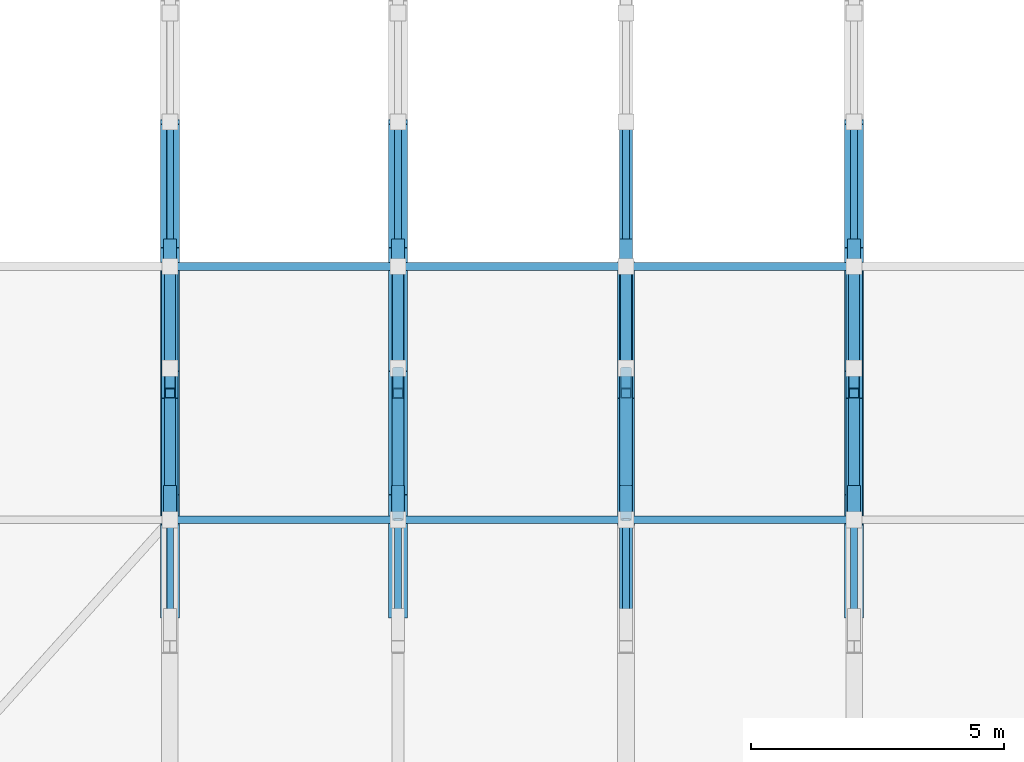
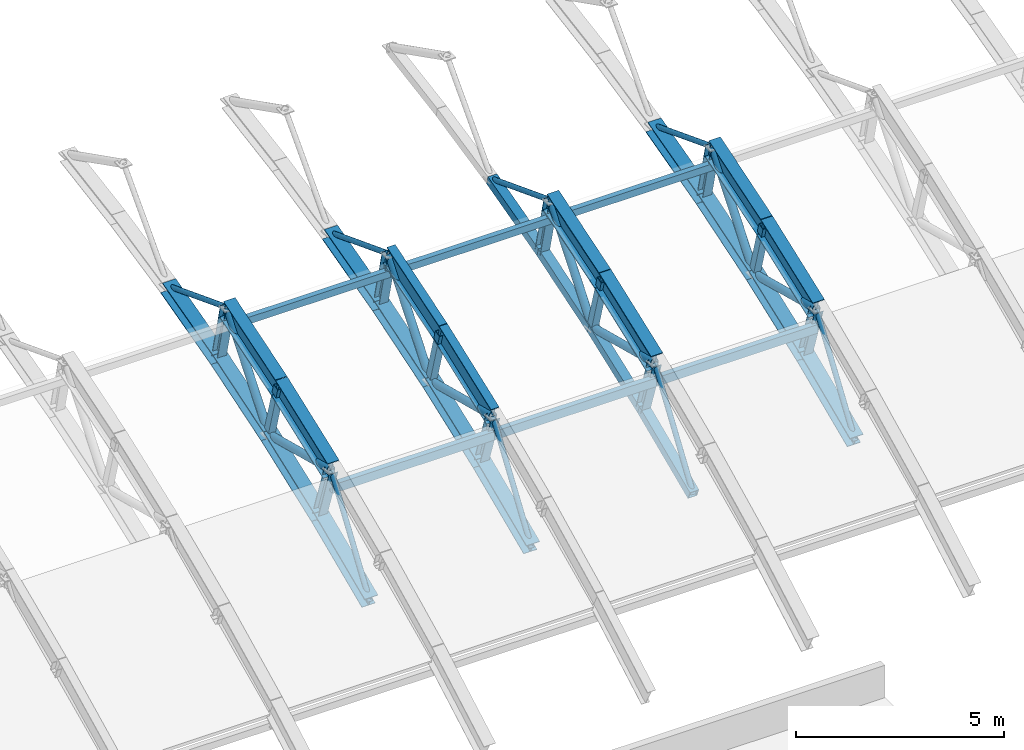
# One storey, part 66 of 103: 50 members, 8 beams.
"""IFC4 building model written with IfcOpenShell, lengths in metres."""

from ifc_helpers import new_model, si_unit, direction, frame, origin, origin_2d, place, context, subcontext, project, spatial, hollow_rectangle, hollow_circle, i_section, extrude, material, material_profile, profile_set, type_object, element, save


model = new_model("IFC4")

# Units and contexts
model_context = context("Model", 3, precision=1e-05, world=origin(), true_north=direction((0.0, 1.0)))
body_context = subcontext(model_context, "Body", "Model", "MODEL_VIEW")
ifc_project = project(units=[si_unit("LENGTHUNIT", "METRE"), si_unit("AREAUNIT", "SQUARE_METRE"), si_unit("VOLUMEUNIT", "CUBIC_METRE"), si_unit("PLANEANGLEUNIT", "RADIAN"), si_unit("MASSUNIT", "GRAM", prefix="KILO")], contexts=[model_context])

# Site, building, storey
site_placement = place(None, origin())
site = spatial("IfcSite", under=ifc_project, at=site_placement, CompositionType="ELEMENT")
building_placement = place(site_placement, origin())
building = spatial("IfcBuilding", under=site, at=building_placement, Name="Cazmaro Siding Exhibition Halls", CompositionType="ELEMENT")
storey_placement = place(building_placement, frame((0.0, 0.0, 16.5)))
storey = spatial("IfcBuildingStorey", under=building, at=storey_placement, Name="L03", CompositionType="ELEMENT", Elevation=16.5)

# Beams
ifc_material_1 = material(Name="Steel ASTM A992 Grade 50", Category="steel")
ifc_material_profile_1 = material_profile(ifc_material_1, i_section(OverallWidth=0.327880859375, OverallDepth=0.626953125, WebThickness=0.01708984375, FlangeThickness=0.028076171875, at=origin_2d()), Name="W24X146")
ifc_profile_set_1 = profile_set([ifc_material_profile_1], Name="Steel ASTM A992 Grade 50")
beam_type_1 = type_object("IfcBeamType", Name="AR-01", PredefinedType="USERDEFINED", material=ifc_profile_set_1)
beam_1_placement = place(storey_placement, frame((153.0, 74.0, 3.1220703125), z_axis=(0.0, 0.936509460339, 0.350642311615), x_axis=(-1.0, 0.0, 0.0)))
element("IfcBeam", 1, at=beam_1_placement, inside=storey, type_object=beam_type_1, Name="Space frame barrel vault arched rib AR-01 BM-1115", ObjectType="ARCHED RIB", PredefinedType="USERDEFINED", context=body_context, shape_type="SweptSolid", body=[
    extrude(i_section(OverallWidth=0.327880859375, OverallDepth=0.626953125, WebThickness=0.01708984375, FlangeThickness=0.028076171875, at=origin_2d()), origin(), (0.0, 0.0, 1.0), 2.66943359375),
])
beam_2_placement = place(storey_placement, frame((153.0, 76.5, 4.05810546875), z_axis=(0.0, 0.952769241759, 0.303695195811), x_axis=(-1.0, 0.0, 0.0)))
element("IfcBeam", 2, at=beam_2_placement, inside=storey, type_object=beam_type_1, Name="Space frame barrel vault arched rib AR-01 BM-1116", ObjectType="ARCHED RIB", PredefinedType="USERDEFINED", context=body_context, shape_type="SweptSolid", body=[
    extrude(i_section(OverallWidth=0.327880859375, OverallDepth=0.626953125, WebThickness=0.01708984375, FlangeThickness=0.028076171875, at=origin_2d()), origin(), (0.0, 0.0, 1.0), 2.6240234375),
])
ifc_material_2 = material(Name="Steel ASTM A992 Grade 50", Category="steel")
ifc_material_profile_2 = material_profile(ifc_material_2, i_section(OverallWidth=0.324951171875, OverallDepth=0.612060546875, WebThickness=0.012939453125, FlangeThickness=0.01904296875, at=origin_2d()), Name="W24X104")
ifc_profile_set_2 = profile_set([ifc_material_profile_2], Name="Steel ASTM A992 Grade 50")
beam_type_2 = type_object("IfcBeamType", Name="AR-02", PredefinedType="USERDEFINED", material=ifc_profile_set_2)
beam_3_placement = place(storey_placement, frame((144.0, 74.0, 3.1220703125), z_axis=(0.0, 0.936509460339, 0.350642311615), x_axis=(-1.0, 0.0, 0.0)))
element("IfcBeam", 3, at=beam_3_placement, inside=storey, type_object=beam_type_2, Name="Space frame barrel vault arched rib AR-02 BM-1067", ObjectType="ARCHED RIB", PredefinedType="USERDEFINED", context=body_context, shape_type="SweptSolid", body=[
    extrude(i_section(OverallWidth=0.324951171875, OverallDepth=0.612060546875, WebThickness=0.012939453125, FlangeThickness=0.01904296875, at=origin_2d()), origin(), (0.0, 0.0, 1.0), 2.66943359375),
])
beam_4_placement = place(storey_placement, frame((144.0, 76.5, 4.05810546875), z_axis=(0.0, 0.952769241759, 0.303695195811), x_axis=(-1.0, 0.0, 0.0)))
element("IfcBeam", 4, at=beam_4_placement, inside=storey, type_object=beam_type_2, Name="Space frame barrel vault arched rib AR-02 BM-1068", ObjectType="ARCHED RIB", PredefinedType="USERDEFINED", context=body_context, shape_type="SweptSolid", body=[
    extrude(i_section(OverallWidth=0.324951171875, OverallDepth=0.612060546875, WebThickness=0.012939453125, FlangeThickness=0.01904296875, at=origin_2d()), origin(), (0.0, 0.0, 1.0), 2.6240234375),
])
beam_5_placement = place(storey_placement, frame((157.5, 74.0, 3.1220703125), z_axis=(0.0, 0.936509460339, 0.350642311615), x_axis=(-1.0, 0.0, 0.0)))
element("IfcBeam", 5, at=beam_5_placement, inside=storey, type_object=beam_type_2, Name="Space frame barrel vault arched rib AR-02 BM-1139", ObjectType="ARCHED RIB", PredefinedType="USERDEFINED", context=body_context, shape_type="SweptSolid", body=[
    extrude(i_section(OverallWidth=0.324951171875, OverallDepth=0.612060546875, WebThickness=0.012939453125, FlangeThickness=0.01904296875, at=origin_2d()), origin(), (0.0, 0.0, 1.0), 2.66943359375),
])
beam_6_placement = place(storey_placement, frame((157.5, 76.5, 4.05810546875), z_axis=(0.0, 0.952769241759, 0.303695195811), x_axis=(-1.0, 0.0, 0.0)))
element("IfcBeam", 6, at=beam_6_placement, inside=storey, type_object=beam_type_2, Name="Space frame barrel vault arched rib AR-02 BM-1140", ObjectType="ARCHED RIB", PredefinedType="USERDEFINED", context=body_context, shape_type="SweptSolid", body=[
    extrude(i_section(OverallWidth=0.324951171875, OverallDepth=0.612060546875, WebThickness=0.012939453125, FlangeThickness=0.01904296875, at=origin_2d()), origin(), (0.0, 0.0, 1.0), 2.6240234375),
])
ifc_material_3 = material(Name="Steel ASTM A992 Grade 50", Category="steel")
ifc_material_profile_3 = material_profile(ifc_material_3, i_section(OverallWidth=0.22900390625, OverallDepth=0.612060546875, WebThickness=0.011962890625, FlangeThickness=0.02001953125, at=origin_2d()), Name="W24X84")
ifc_profile_set_3 = profile_set([ifc_material_profile_3], Name="Steel ASTM A992 Grade 50")
beam_type_3 = type_object("IfcBeamType", Name="AR-03", PredefinedType="USERDEFINED", material=ifc_profile_set_3)
beam_7_placement = place(storey_placement, frame((148.5, 74.0, 3.1220703125), z_axis=(0.0, 0.936509460339, 0.350642311615), x_axis=(-1.0, 0.0, 0.0)))
element("IfcBeam", 7, at=beam_7_placement, inside=storey, type_object=beam_type_3, Name="Space frame barrel vault arched rib AR-03 BM-1091", ObjectType="ARCHED RIB", PredefinedType="USERDEFINED", context=body_context, shape_type="SweptSolid", body=[
    extrude(i_section(OverallWidth=0.22900390625, OverallDepth=0.612060546875, WebThickness=0.011962890625, FlangeThickness=0.02001953125, at=origin_2d()), origin(), (0.0, 0.0, 1.0), 2.66943359375),
])
beam_8_placement = place(storey_placement, frame((148.5, 76.5, 4.05810546875), z_axis=(0.0, 0.952769241759, 0.303695195811), x_axis=(-1.0, 0.0, 0.0)))
element("IfcBeam", 8, at=beam_8_placement, inside=storey, type_object=beam_type_3, Name="Space frame barrel vault arched rib AR-03 BM-1092", ObjectType="ARCHED RIB", PredefinedType="USERDEFINED", context=body_context, shape_type="SweptSolid", body=[
    extrude(i_section(OverallWidth=0.22900390625, OverallDepth=0.612060546875, WebThickness=0.011962890625, FlangeThickness=0.02001953125, at=origin_2d()), origin(), (0.0, 0.0, 1.0), 2.6240234375),
])

# Members
ifc_material_4 = material(Name="Steel ASTM A500 Grade C", Category="steel")
ifc_material_profile_4 = material_profile(ifc_material_4, hollow_rectangle(XDim=0.152099609375, YDim=0.202880859375, WallThickness=0.011962890625, at=origin_2d()), Name="HSS8X6X1/2")
ifc_profile_set_4 = profile_set([ifc_material_profile_4], Name="Steel ASTM A500 Grade C")
member_type_1 = type_object("IfcMemberType", Name="RP-01", PredefinedType="PURLIN", material=ifc_profile_set_4)
for number, where, z_axis, x_axis, name in (
    (9, (144.0, 79.0, 4.31494140625), (1.0, 0.0, 0.0), (0.0, 1.0, 0.0), "Space frame barrel vault purlin RP-01 MEM-2232"),
    (10, (148.5, 79.0, 4.31494140625), (1.0, 0.0, 0.0), (0.0, 1.0, 0.0), "Space frame barrel vault purlin RP-01 MEM-2243"),
    (11, (153.0, 79.0, 4.31494140625), (1.0, 0.0, 0.0), (0.0, 1.0, 0.0), "Space frame barrel vault purlin RP-01 MEM-2254"),
):
    element("IfcMember", number, at=place(storey_placement, frame(where, z_axis=z_axis, x_axis=x_axis)), inside=storey, type_object=member_type_1, Name=name, PredefinedType="PURLIN", context=body_context, shape_type="SweptSolid", body=[
        extrude(hollow_rectangle(XDim=0.152099609375, YDim=0.202880859375, WallThickness=0.011962890625, at=origin_2d()), origin(), (0.0, 0.0, 1.0), 4.5),
    ])
ifc_material_5 = material(Name="Steel ASTM A500 Grade C", Category="steel")
ifc_material_profile_5 = material_profile(ifc_material_5, hollow_rectangle(XDim=0.152099609375, YDim=0.25390625, WallThickness=0.011962890625, at=origin_2d()), Name="HSS10X6X1/2")
ifc_profile_set_5 = profile_set([ifc_material_profile_5], Name="Steel ASTM A500 Grade C")
member_type_2 = type_object("IfcMemberType", Name="RP-04", PredefinedType="PURLIN", material=ifc_profile_set_5)
for number, where, z_axis, x_axis, name in (
    (12, (144.0, 74.0, 2.58203125), (1.0, 0.0, 0.0), (0.0, 1.0, 0.0), "Space frame barrel vault purlin RP-04 MEM-2231"),
    (13, (148.5, 74.0, 2.58203125), (1.0, 0.0, 0.0), (0.0, 1.0, 0.0), "Space frame barrel vault purlin RP-04 MEM-2242"),
    (14, (153.0, 74.0, 2.58203125), (1.0, 0.0, 0.0), (0.0, 1.0, 0.0), "Space frame barrel vault purlin RP-04 MEM-2253"),
):
    element("IfcMember", number, at=place(storey_placement, frame(where, z_axis=z_axis, x_axis=x_axis)), inside=storey, type_object=member_type_2, Name=name, PredefinedType="PURLIN", context=body_context, shape_type="SweptSolid", body=[
        extrude(hollow_rectangle(XDim=0.152099609375, YDim=0.25390625, WallThickness=0.011962890625, at=origin_2d()), origin(), (0.0, 0.0, 1.0), 4.5),
    ])
ifc_material_6 = material(Name="Steel ASTM A500 Grade C", Category="steel")
ifc_material_profile_6 = material_profile(ifc_material_6, hollow_rectangle(XDim=0.25390625, YDim=0.25390625, WallThickness=0.014892578125, at=origin_2d()), Name="HSS10X10X5/8")
ifc_profile_set_6 = profile_set([ifc_material_profile_6], Name="Steel ASTM A500 Grade C")
member_type_3 = type_object("IfcMemberType", Name="TC-01", PredefinedType="CHORD", material=ifc_profile_set_6)
member_1_placement = place(storey_placement, frame((153.0, 72.131103515625, 0.37890625), z_axis=(0.0, 0.917689003843, 0.397299499403), x_axis=(-1.0, 0.0, 0.0)))
element("IfcMember", 15, at=member_1_placement, inside=storey, type_object=member_type_3, Name="Space frame barrel vault bottom chord TC-01 MEM-1663", PredefinedType="CHORD", context=body_context, shape_type="SweptSolid", body=[
    extrude(hollow_rectangle(XDim=0.25390625, YDim=0.25390625, WallThickness=0.014892578125, at=origin_2d()), origin(), (0.0, 0.0, 1.0), 2.64794921875),
])
member_2_placement = place(storey_placement, frame((153.0, 74.56103515625, 1.430908203125), z_axis=(0.0, 0.936588022869, 0.350432412053), x_axis=(-1.0, 0.0, 0.0)))
element("IfcMember", 16, at=member_2_placement, inside=storey, type_object=member_type_3, Name="Space frame barrel vault bottom chord TC-01 MEM-1665", PredefinedType="CHORD", context=body_context, shape_type="SweptSolid", body=[
    extrude(hollow_rectangle(XDim=0.25390625, YDim=0.25390625, WallThickness=0.014892578125, at=origin_2d()), origin(), (0.0, 0.0, 1.0), 2.594482421875),
])
member_3_placement = place(storey_placement, frame((153.0, 76.990966796875, 2.340087890625), z_axis=(0.0, 0.952692842525, 0.303934775573), x_axis=(-1.0, 0.0, 0.0)))
element("IfcMember", 17, at=member_3_placement, inside=storey, type_object=member_type_3, Name="Space frame barrel vault bottom chord TC-01 MEM-1667", PredefinedType="CHORD", context=body_context, shape_type="SweptSolid", body=[
    extrude(hollow_rectangle(XDim=0.25390625, YDim=0.25390625, WallThickness=0.014892578125, at=origin_2d()), origin(), (0.0, 0.0, 1.0), 2.549560546875),
])
member_4_placement = place(storey_placement, frame((153.0, 79.419921875, 3.114990234375), z_axis=(0.0, 0.966437683387, 0.256901156343), x_axis=(-1.0, 0.0, 0.0)))
element("IfcMember", 18, at=member_4_placement, inside=storey, type_object=member_type_3, Name="Space frame barrel vault bottom chord TC-01 MEM-1669", PredefinedType="CHORD", context=body_context, shape_type="SweptSolid", body=[
    extrude(hollow_rectangle(XDim=0.25390625, YDim=0.25390625, WallThickness=0.014892578125, at=origin_2d()), origin(), (0.0, 0.0, 1.0), 2.5146484375),
])
ifc_material_7 = material(Name="Steel ASTM A992 Grade 50", Category="steel")
ifc_material_profile_7 = material_profile(ifc_material_7, i_section(OverallWidth=0.37109375, OverallDepth=0.364013671875, WebThickness=0.012939453125, FlangeThickness=0.02197265625, at=origin_2d()), Name="W14X109")
ifc_profile_set_7 = profile_set([ifc_material_profile_7], Name="Steel ASTM A992 Grade 50")
member_type_4 = type_object("IfcMemberType", Name="TC-06", PredefinedType="CHORD", material=ifc_profile_set_7)
member_5_placement = place(storey_placement, frame((144.0, 72.131103515625, 0.37890625), z_axis=(0.0, 0.917689003843, 0.397299499403), x_axis=(-1.0, 0.0, 0.0)))
element("IfcMember", 19, at=member_5_placement, inside=storey, type_object=member_type_4, Name="Space frame barrel vault bottom chord TC-06 MEM-1521", PredefinedType="CHORD", context=body_context, shape_type="SweptSolid", body=[
    extrude(i_section(OverallWidth=0.37109375, OverallDepth=0.364013671875, WebThickness=0.012939453125, FlangeThickness=0.02197265625, at=origin_2d()), origin(), (0.0, 0.0, 1.0), 2.64794921875),
])
member_6_placement = place(storey_placement, frame((144.0, 74.56103515625, 1.430908203125), z_axis=(0.0, 0.936588022869, 0.350432412053), x_axis=(-1.0, 0.0, 0.0)))
element("IfcMember", 20, at=member_6_placement, inside=storey, type_object=member_type_4, Name="Space frame barrel vault bottom chord TC-06 MEM-1523", PredefinedType="CHORD", context=body_context, shape_type="SweptSolid", body=[
    extrude(i_section(OverallWidth=0.37109375, OverallDepth=0.364013671875, WebThickness=0.012939453125, FlangeThickness=0.02197265625, at=origin_2d()), origin(), (0.0, 0.0, 1.0), 2.594482421875),
])
member_7_placement = place(storey_placement, frame((144.0, 76.990966796875, 2.340087890625), z_axis=(0.0, 0.952692842525, 0.303934775573), x_axis=(-1.0, 0.0, 0.0)))
element("IfcMember", 21, at=member_7_placement, inside=storey, type_object=member_type_4, Name="Space frame barrel vault bottom chord TC-06 MEM-1525", PredefinedType="CHORD", context=body_context, shape_type="SweptSolid", body=[
    extrude(i_section(OverallWidth=0.37109375, OverallDepth=0.364013671875, WebThickness=0.012939453125, FlangeThickness=0.02197265625, at=origin_2d()), origin(), (0.0, 0.0, 1.0), 2.549560546875),
])
member_8_placement = place(storey_placement, frame((144.0, 79.419921875, 3.114990234375), z_axis=(0.0, 0.966437683387, 0.256901156343), x_axis=(-1.0, 0.0, 0.0)))
element("IfcMember", 22, at=member_8_placement, inside=storey, type_object=member_type_4, Name="Space frame barrel vault bottom chord TC-06 MEM-1527", PredefinedType="CHORD", context=body_context, shape_type="SweptSolid", body=[
    extrude(i_section(OverallWidth=0.37109375, OverallDepth=0.364013671875, WebThickness=0.012939453125, FlangeThickness=0.02197265625, at=origin_2d()), origin(), (0.0, 0.0, 1.0), 2.5146484375),
])
member_9_placement = place(storey_placement, frame((148.5, 72.131103515625, 0.37890625), z_axis=(0.0, 0.917689003843, 0.397299499403), x_axis=(-1.0, 0.0, 0.0)))
element("IfcMember", 23, at=member_9_placement, inside=storey, type_object=member_type_4, Name="Space frame barrel vault bottom chord TC-06 MEM-1592", PredefinedType="CHORD", context=body_context, shape_type="SweptSolid", body=[
    extrude(i_section(OverallWidth=0.37109375, OverallDepth=0.364013671875, WebThickness=0.012939453125, FlangeThickness=0.02197265625, at=origin_2d()), origin(), (0.0, 0.0, 1.0), 2.64794921875),
])
member_10_placement = place(storey_placement, frame((148.5, 74.56103515625, 1.430908203125), z_axis=(0.0, 0.936588022869, 0.350432412053), x_axis=(-1.0, 0.0, 0.0)))
element("IfcMember", 24, at=member_10_placement, inside=storey, type_object=member_type_4, Name="Space frame barrel vault bottom chord TC-06 MEM-1594", PredefinedType="CHORD", context=body_context, shape_type="SweptSolid", body=[
    extrude(i_section(OverallWidth=0.37109375, OverallDepth=0.364013671875, WebThickness=0.012939453125, FlangeThickness=0.02197265625, at=origin_2d()), origin(), (0.0, 0.0, 1.0), 2.594482421875),
])
member_11_placement = place(storey_placement, frame((148.5, 76.990966796875, 2.340087890625), z_axis=(0.0, 0.952692842525, 0.303934775573), x_axis=(-1.0, 0.0, 0.0)))
element("IfcMember", 25, at=member_11_placement, inside=storey, type_object=member_type_4, Name="Space frame barrel vault bottom chord TC-06 MEM-1596", PredefinedType="CHORD", context=body_context, shape_type="SweptSolid", body=[
    extrude(i_section(OverallWidth=0.37109375, OverallDepth=0.364013671875, WebThickness=0.012939453125, FlangeThickness=0.02197265625, at=origin_2d()), origin(), (0.0, 0.0, 1.0), 2.549560546875),
])
member_12_placement = place(storey_placement, frame((148.5, 79.419921875, 3.114990234375), z_axis=(0.0, 0.966437683387, 0.256901156343), x_axis=(-1.0, 0.0, 0.0)))
element("IfcMember", 26, at=member_12_placement, inside=storey, type_object=member_type_4, Name="Space frame barrel vault bottom chord TC-06 MEM-1598", PredefinedType="CHORD", context=body_context, shape_type="SweptSolid", body=[
    extrude(i_section(OverallWidth=0.37109375, OverallDepth=0.364013671875, WebThickness=0.012939453125, FlangeThickness=0.02197265625, at=origin_2d()), origin(), (0.0, 0.0, 1.0), 2.5146484375),
])
member_13_placement = place(storey_placement, frame((157.5, 72.131103515625, 0.37890625), z_axis=(0.0, 0.917689003843, 0.397299499403), x_axis=(-1.0, 0.0, 0.0)))
element("IfcMember", 27, at=member_13_placement, inside=storey, type_object=member_type_4, Name="Space frame barrel vault bottom chord TC-06 MEM-1734", PredefinedType="CHORD", context=body_context, shape_type="SweptSolid", body=[
    extrude(i_section(OverallWidth=0.37109375, OverallDepth=0.364013671875, WebThickness=0.012939453125, FlangeThickness=0.02197265625, at=origin_2d()), origin(), (0.0, 0.0, 1.0), 2.64794921875),
])
member_14_placement = place(storey_placement, frame((157.5, 74.56103515625, 1.430908203125), z_axis=(0.0, 0.936588022869, 0.350432412053), x_axis=(-1.0, 0.0, 0.0)))
element("IfcMember", 28, at=member_14_placement, inside=storey, type_object=member_type_4, Name="Space frame barrel vault bottom chord TC-06 MEM-1736", PredefinedType="CHORD", context=body_context, shape_type="SweptSolid", body=[
    extrude(i_section(OverallWidth=0.37109375, OverallDepth=0.364013671875, WebThickness=0.012939453125, FlangeThickness=0.02197265625, at=origin_2d()), origin(), (0.0, 0.0, 1.0), 2.594482421875),
])
member_15_placement = place(storey_placement, frame((157.5, 76.990966796875, 2.340087890625), z_axis=(0.0, 0.952692842525, 0.303934775573), x_axis=(-1.0, 0.0, 0.0)))
element("IfcMember", 29, at=member_15_placement, inside=storey, type_object=member_type_4, Name="Space frame barrel vault bottom chord TC-06 MEM-1738", PredefinedType="CHORD", context=body_context, shape_type="SweptSolid", body=[
    extrude(i_section(OverallWidth=0.37109375, OverallDepth=0.364013671875, WebThickness=0.012939453125, FlangeThickness=0.02197265625, at=origin_2d()), origin(), (0.0, 0.0, 1.0), 2.549560546875),
])
member_16_placement = place(storey_placement, frame((157.5, 79.419921875, 3.114990234375), z_axis=(0.0, 0.966437683387, 0.256901156343), x_axis=(-1.0, 0.0, 0.0)))
element("IfcMember", 30, at=member_16_placement, inside=storey, type_object=member_type_4, Name="Space frame barrel vault bottom chord TC-06 MEM-1740", PredefinedType="CHORD", context=body_context, shape_type="SweptSolid", body=[
    extrude(i_section(OverallWidth=0.37109375, OverallDepth=0.364013671875, WebThickness=0.012939453125, FlangeThickness=0.02197265625, at=origin_2d()), origin(), (0.0, 0.0, 1.0), 2.5146484375),
])
ifc_material_8 = material(Name="Steel ASTM A500 Grade C", Category="steel")
ifc_material_profile_8 = material_profile(ifc_material_8, hollow_rectangle(XDim=0.202880859375, YDim=0.202880859375, WallThickness=0.011962890625, at=origin_2d()), Name="HSS8X8X1/2")
ifc_profile_set_8 = profile_set([ifc_material_profile_8], Name="Steel ASTM A500 Grade C")
member_type_5 = type_object("IfcMemberType", Name="TP-01", PredefinedType="POST", material=ifc_profile_set_8)
for number, where, z_axis, x_axis, name in (
    (31, (144.0, 76.990966796875, 2.340087890625), (0.0, -0.274775266308, 0.961508477875), (1.0, 0.0, 0.0), "Space frame barrel vault post TP-01 MEM-1567"),
    (32, (148.5, 76.990966796875, 2.340087890625), (0.0, -0.274775266308, 0.961508477875), (1.0, 0.0, 0.0), "Space frame barrel vault post TP-01 MEM-1638"),
    (33, (153.0, 76.990966796875, 2.340087890625), (0.0, -0.274775266308, 0.961508477875), (1.0, 0.0, 0.0), "Space frame barrel vault post TP-01 MEM-1709"),
    (34, (157.5, 76.990966796875, 2.340087890625), (0.0, -0.274775266308, 0.961508477875), (1.0, 0.0, 0.0), "Space frame barrel vault post TP-01 MEM-1780"),
):
    element("IfcMember", number, at=place(storey_placement, frame(where, z_axis=z_axis, x_axis=x_axis)), inside=storey, type_object=member_type_5, Name=name, PredefinedType="POST", context=body_context, shape_type="SweptSolid", body=[
        extrude(hollow_rectangle(XDim=0.202880859375, YDim=0.202880859375, WallThickness=0.011962890625, at=origin_2d()), origin(), (0.0, 0.0, 1.0), 1.786865234375),
    ])
ifc_material_9 = material(Name="Steel ASTM A992 Grade 50", Category="steel")
ifc_material_profile_9 = material_profile(ifc_material_9, i_section(OverallWidth=0.25390625, OverallDepth=0.25390625, WebThickness=0.009033203125, FlangeThickness=0.013916015625, at=origin_2d()), Name="W10X49")
ifc_profile_set_9 = profile_set([ifc_material_profile_9], Name="Steel ASTM A992 Grade 50")
member_type_6 = type_object("IfcMemberType", Name="TP-04", PredefinedType="POST", material=ifc_profile_set_9)
member_17_placement = place(storey_placement, frame((144.0, 74.56103515625, 1.430908203125), z_axis=(0.0, -0.314870949103, 0.949134492794), x_axis=(1.0, 0.0, 0.0)))
element("IfcMember", 35, at=member_17_placement, inside=storey, type_object=member_type_6, Name="Space frame barrel vault post TP-04 MEM-1566", PredefinedType="POST", context=body_context, shape_type="SweptSolid", body=[
    extrude(i_section(OverallWidth=0.25390625, OverallDepth=0.25390625, WebThickness=0.009033203125, FlangeThickness=0.013916015625, at=origin_2d()), origin(), (0.0, 0.0, 1.0), 1.78173828125),
])
member_18_placement = place(storey_placement, frame((144.0, 79.419921875, 3.114990234375), z_axis=(0.0, -0.234600533729, 0.972091862724), x_axis=(1.0, 0.0, 0.0)))
element("IfcMember", 36, at=member_18_placement, inside=storey, type_object=member_type_6, Name="Space frame barrel vault post TP-04 MEM-1568", PredefinedType="POST", context=body_context, shape_type="SweptSolid", body=[
    extrude(i_section(OverallWidth=0.25390625, OverallDepth=0.25390625, WebThickness=0.009033203125, FlangeThickness=0.013916015625, at=origin_2d()), origin(), (0.0, 0.0, 1.0), 1.7900390625),
])
member_19_placement = place(storey_placement, frame((148.5, 74.56103515625, 1.430908203125), z_axis=(0.0, -0.314870949103, 0.949134492794), x_axis=(1.0, 0.0, 0.0)))
element("IfcMember", 37, at=member_19_placement, inside=storey, type_object=member_type_6, Name="Space frame barrel vault post TP-04 MEM-1637", PredefinedType="POST", context=body_context, shape_type="SweptSolid", body=[
    extrude(i_section(OverallWidth=0.25390625, OverallDepth=0.25390625, WebThickness=0.009033203125, FlangeThickness=0.013916015625, at=origin_2d()), origin(), (0.0, 0.0, 1.0), 1.78173828125),
])
member_20_placement = place(storey_placement, frame((148.5, 79.419921875, 3.114990234375), z_axis=(0.0, -0.234600533729, 0.972091862724), x_axis=(1.0, 0.0, 0.0)))
element("IfcMember", 38, at=member_20_placement, inside=storey, type_object=member_type_6, Name="Space frame barrel vault post TP-04 MEM-1639", PredefinedType="POST", context=body_context, shape_type="SweptSolid", body=[
    extrude(i_section(OverallWidth=0.25390625, OverallDepth=0.25390625, WebThickness=0.009033203125, FlangeThickness=0.013916015625, at=origin_2d()), origin(), (0.0, 0.0, 1.0), 1.7900390625),
])
member_21_placement = place(storey_placement, frame((153.0, 74.56103515625, 1.430908203125), z_axis=(0.0, -0.314870949103, 0.949134492794), x_axis=(1.0, 0.0, 0.0)))
element("IfcMember", 39, at=member_21_placement, inside=storey, type_object=member_type_6, Name="Space frame barrel vault post TP-04 MEM-1708", PredefinedType="POST", context=body_context, shape_type="SweptSolid", body=[
    extrude(i_section(OverallWidth=0.25390625, OverallDepth=0.25390625, WebThickness=0.009033203125, FlangeThickness=0.013916015625, at=origin_2d()), origin(), (0.0, 0.0, 1.0), 1.78173828125),
])
member_22_placement = place(storey_placement, frame((153.0, 79.419921875, 3.114990234375), z_axis=(0.0, -0.234600533729, 0.972091862724), x_axis=(1.0, 0.0, 0.0)))
element("IfcMember", 40, at=member_22_placement, inside=storey, type_object=member_type_6, Name="Space frame barrel vault post TP-04 MEM-1710", PredefinedType="POST", context=body_context, shape_type="SweptSolid", body=[
    extrude(i_section(OverallWidth=0.25390625, OverallDepth=0.25390625, WebThickness=0.009033203125, FlangeThickness=0.013916015625, at=origin_2d()), origin(), (0.0, 0.0, 1.0), 1.7900390625),
])
member_23_placement = place(storey_placement, frame((157.5, 74.56103515625, 1.430908203125), z_axis=(0.0, -0.314870949103, 0.949134492794), x_axis=(1.0, 0.0, 0.0)))
element("IfcMember", 41, at=member_23_placement, inside=storey, type_object=member_type_6, Name="Space frame barrel vault post TP-04 MEM-1779", PredefinedType="POST", context=body_context, shape_type="SweptSolid", body=[
    extrude(i_section(OverallWidth=0.25390625, OverallDepth=0.25390625, WebThickness=0.009033203125, FlangeThickness=0.013916015625, at=origin_2d()), origin(), (0.0, 0.0, 1.0), 1.78173828125),
])
member_24_placement = place(storey_placement, frame((157.5, 79.419921875, 3.114990234375), z_axis=(0.0, -0.234600533729, 0.972091862724), x_axis=(1.0, 0.0, 0.0)))
element("IfcMember", 42, at=member_24_placement, inside=storey, type_object=member_type_6, Name="Space frame barrel vault post TP-04 MEM-1781", PredefinedType="POST", context=body_context, shape_type="SweptSolid", body=[
    extrude(i_section(OverallWidth=0.25390625, OverallDepth=0.25390625, WebThickness=0.009033203125, FlangeThickness=0.013916015625, at=origin_2d()), origin(), (0.0, 0.0, 1.0), 1.7900390625),
])
ifc_material_10 = material(Name="Steel ASTM A500 Grade C", Category="steel")
ifc_material_profile_10 = material_profile(ifc_material_10, hollow_circle(Radius=0.109619140625, WallThickness=0.012939453125, at=origin_2d()), Name="PIPE8XS")
ifc_profile_set_10 = profile_set([ifc_material_profile_10], Name="Steel ASTM A500 Grade C")
member_type_7 = type_object("IfcMemberType", Name="WB-01", PredefinedType="BRACE", material=ifc_profile_set_10)
member_25_placement = place(storey_placement, frame((144.0, 74.0, 3.1220703125), z_axis=(0.0, 0.967480432857, -0.252945867802), x_axis=(-1.0, 0.0, 0.0)))
element("IfcMember", 43, at=member_25_placement, inside=storey, type_object=member_type_7, Name="Space frame barrel vault diagonal WB-01 MEM-1524", PredefinedType="BRACE", context=body_context, shape_type="SweptSolid", body=[
    extrude(hollow_circle(Radius=0.109619140625, WallThickness=0.012939453125, at=origin_2d()), origin(), (0.0, 0.0, 1.0), 3.091552734375),
])
member_26_placement = place(storey_placement, frame((144.0, 76.990966796875, 2.340087890625), z_axis=(0.0, 0.624149162907, 0.781305204412), x_axis=(-1.0, 0.0, 0.0)))
element("IfcMember", 44, at=member_26_placement, inside=storey, type_object=member_type_7, Name="Space frame barrel vault diagonal WB-01 MEM-1526", PredefinedType="BRACE", context=body_context, shape_type="SweptSolid", body=[
    extrude(hollow_circle(Radius=0.109619140625, WallThickness=0.012939453125, at=origin_2d()), origin(), (0.0, 0.0, 1.0), 3.21875),
])
member_27_placement = place(storey_placement, frame((148.5, 74.0, 3.1220703125), z_axis=(0.0, 0.967480432857, -0.252945867802), x_axis=(-1.0, 0.0, 0.0)))
element("IfcMember", 45, at=member_27_placement, inside=storey, type_object=member_type_7, Name="Space frame barrel vault diagonal WB-01 MEM-1595", PredefinedType="BRACE", context=body_context, shape_type="SweptSolid", body=[
    extrude(hollow_circle(Radius=0.109619140625, WallThickness=0.012939453125, at=origin_2d()), origin(), (0.0, 0.0, 1.0), 3.091552734375),
])
member_28_placement = place(storey_placement, frame((148.5, 76.990966796875, 2.340087890625), z_axis=(0.0, 0.624149162907, 0.781305204412), x_axis=(-1.0, 0.0, 0.0)))
element("IfcMember", 46, at=member_28_placement, inside=storey, type_object=member_type_7, Name="Space frame barrel vault diagonal WB-01 MEM-1597", PredefinedType="BRACE", context=body_context, shape_type="SweptSolid", body=[
    extrude(hollow_circle(Radius=0.109619140625, WallThickness=0.012939453125, at=origin_2d()), origin(), (0.0, 0.0, 1.0), 3.21875),
])
member_29_placement = place(storey_placement, frame((153.0, 74.0, 3.1220703125), z_axis=(0.0, 0.967480432857, -0.252945867802), x_axis=(-1.0, 0.0, 0.0)))
element("IfcMember", 47, at=member_29_placement, inside=storey, type_object=member_type_7, Name="Space frame barrel vault diagonal WB-01 MEM-1666", PredefinedType="BRACE", context=body_context, shape_type="SweptSolid", body=[
    extrude(hollow_circle(Radius=0.109619140625, WallThickness=0.012939453125, at=origin_2d()), origin(), (0.0, 0.0, 1.0), 3.091552734375),
])
member_30_placement = place(storey_placement, frame((153.0, 76.990966796875, 2.340087890625), z_axis=(0.0, 0.624149162907, 0.781305204412), x_axis=(-1.0, 0.0, 0.0)))
element("IfcMember", 48, at=member_30_placement, inside=storey, type_object=member_type_7, Name="Space frame barrel vault diagonal WB-01 MEM-1668", PredefinedType="BRACE", context=body_context, shape_type="SweptSolid", body=[
    extrude(hollow_circle(Radius=0.109619140625, WallThickness=0.012939453125, at=origin_2d()), origin(), (0.0, 0.0, 1.0), 3.21875),
])
member_31_placement = place(storey_placement, frame((157.5, 74.0, 3.1220703125), z_axis=(0.0, 0.967480432857, -0.252945867802), x_axis=(-1.0, 0.0, 0.0)))
element("IfcMember", 49, at=member_31_placement, inside=storey, type_object=member_type_7, Name="Space frame barrel vault diagonal WB-01 MEM-1737", PredefinedType="BRACE", context=body_context, shape_type="SweptSolid", body=[
    extrude(hollow_circle(Radius=0.109619140625, WallThickness=0.012939453125, at=origin_2d()), origin(), (0.0, 0.0, 1.0), 3.091552734375),
])
member_32_placement = place(storey_placement, frame((157.5, 76.990966796875, 2.340087890625), z_axis=(0.0, 0.624149162907, 0.781305204412), x_axis=(-1.0, 0.0, 0.0)))
element("IfcMember", 50, at=member_32_placement, inside=storey, type_object=member_type_7, Name="Space frame barrel vault diagonal WB-01 MEM-1739", PredefinedType="BRACE", context=body_context, shape_type="SweptSolid", body=[
    extrude(hollow_circle(Radius=0.109619140625, WallThickness=0.012939453125, at=origin_2d()), origin(), (0.0, 0.0, 1.0), 3.21875),
])
ifc_material_11 = material(Name="Steel ASTM A500 Grade C", Category="steel")
ifc_material_profile_11 = material_profile(ifc_material_11, hollow_circle(Radius=0.070556640625, WallThickness=0.01904296875, at=origin_2d()), Name="PIPE5XXS")
ifc_profile_set_11 = profile_set([ifc_material_profile_11], Name="Steel ASTM A500 Grade C")
member_type_8 = type_object("IfcMemberType", Name="WB-07", PredefinedType="BRACE", material=ifc_profile_set_11)
member_33_placement = place(storey_placement, frame((144.0, 72.131103515625, 0.37890625), z_axis=(0.0, 0.563040090795, 0.826429583302), x_axis=(-1.0, 0.0, 0.0)))
element("IfcMember", 51, at=member_33_placement, inside=storey, type_object=member_type_8, Name="Space frame barrel vault diagonal WB-07 MEM-1522", PredefinedType="BRACE", context=body_context, shape_type="SweptSolid", body=[
    extrude(hollow_circle(Radius=0.070556640625, WallThickness=0.01904296875, at=origin_2d()), origin(), (0.0, 0.0, 1.0), 3.3193359375),
])
member_34_placement = place(storey_placement, frame((144.0, 79.0, 4.85498046875), z_axis=(0.0, 0.933586546586, -0.358352005761), x_axis=(-1.0, 0.0, 0.0)))
element("IfcMember", 52, at=member_34_placement, inside=storey, type_object=member_type_8, Name="Space frame barrel vault diagonal WB-07 MEM-1528", PredefinedType="BRACE", context=body_context, shape_type="SweptSolid", body=[
    extrude(hollow_circle(Radius=0.070556640625, WallThickness=0.01904296875, at=origin_2d()), origin(), (0.0, 0.0, 1.0), 3.052734375),
])
member_35_placement = place(storey_placement, frame((148.5, 72.131103515625, 0.37890625), z_axis=(0.0, 0.563040090795, 0.826429583302), x_axis=(-1.0, 0.0, 0.0)))
element("IfcMember", 53, at=member_35_placement, inside=storey, type_object=member_type_8, Name="Space frame barrel vault diagonal WB-07 MEM-1593", PredefinedType="BRACE", context=body_context, shape_type="SweptSolid", body=[
    extrude(hollow_circle(Radius=0.070556640625, WallThickness=0.01904296875, at=origin_2d()), origin(), (0.0, 0.0, 1.0), 3.3193359375),
])
member_36_placement = place(storey_placement, frame((148.5, 79.0, 4.85498046875), z_axis=(0.0, 0.933586546586, -0.358352005761), x_axis=(-1.0, 0.0, 0.0)))
element("IfcMember", 54, at=member_36_placement, inside=storey, type_object=member_type_8, Name="Space frame barrel vault diagonal WB-07 MEM-1599", PredefinedType="BRACE", context=body_context, shape_type="SweptSolid", body=[
    extrude(hollow_circle(Radius=0.070556640625, WallThickness=0.01904296875, at=origin_2d()), origin(), (0.0, 0.0, 1.0), 3.052734375),
])
member_37_placement = place(storey_placement, frame((153.0, 72.131103515625, 0.37890625), z_axis=(0.0, 0.563040090795, 0.826429583302), x_axis=(-1.0, 0.0, 0.0)))
element("IfcMember", 55, at=member_37_placement, inside=storey, type_object=member_type_8, Name="Space frame barrel vault diagonal WB-07 MEM-1664", PredefinedType="BRACE", context=body_context, shape_type="SweptSolid", body=[
    extrude(hollow_circle(Radius=0.070556640625, WallThickness=0.01904296875, at=origin_2d()), origin(), (0.0, 0.0, 1.0), 3.3193359375),
])
member_38_placement = place(storey_placement, frame((153.0, 79.0, 4.85498046875), z_axis=(0.0, 0.933586546586, -0.358352005761), x_axis=(-1.0, 0.0, 0.0)))
element("IfcMember", 56, at=member_38_placement, inside=storey, type_object=member_type_8, Name="Space frame barrel vault diagonal WB-07 MEM-1670", PredefinedType="BRACE", context=body_context, shape_type="SweptSolid", body=[
    extrude(hollow_circle(Radius=0.070556640625, WallThickness=0.01904296875, at=origin_2d()), origin(), (0.0, 0.0, 1.0), 3.052734375),
])
member_39_placement = place(storey_placement, frame((157.5, 72.131103515625, 0.37890625), z_axis=(0.0, 0.563040090795, 0.826429583302), x_axis=(-1.0, 0.0, 0.0)))
element("IfcMember", 57, at=member_39_placement, inside=storey, type_object=member_type_8, Name="Space frame barrel vault diagonal WB-07 MEM-1735", PredefinedType="BRACE", context=body_context, shape_type="SweptSolid", body=[
    extrude(hollow_circle(Radius=0.070556640625, WallThickness=0.01904296875, at=origin_2d()), origin(), (0.0, 0.0, 1.0), 3.3193359375),
])
member_40_placement = place(storey_placement, frame((157.5, 79.0, 4.85498046875), z_axis=(0.0, 0.933586546586, -0.358352005761), x_axis=(-1.0, 0.0, 0.0)))
element("IfcMember", 58, at=member_40_placement, inside=storey, type_object=member_type_8, Name="Space frame barrel vault diagonal WB-07 MEM-1741", PredefinedType="BRACE", context=body_context, shape_type="SweptSolid", body=[
    extrude(hollow_circle(Radius=0.070556640625, WallThickness=0.01904296875, at=origin_2d()), origin(), (0.0, 0.0, 1.0), 3.052734375),
])

save(model, "model.ifc")
